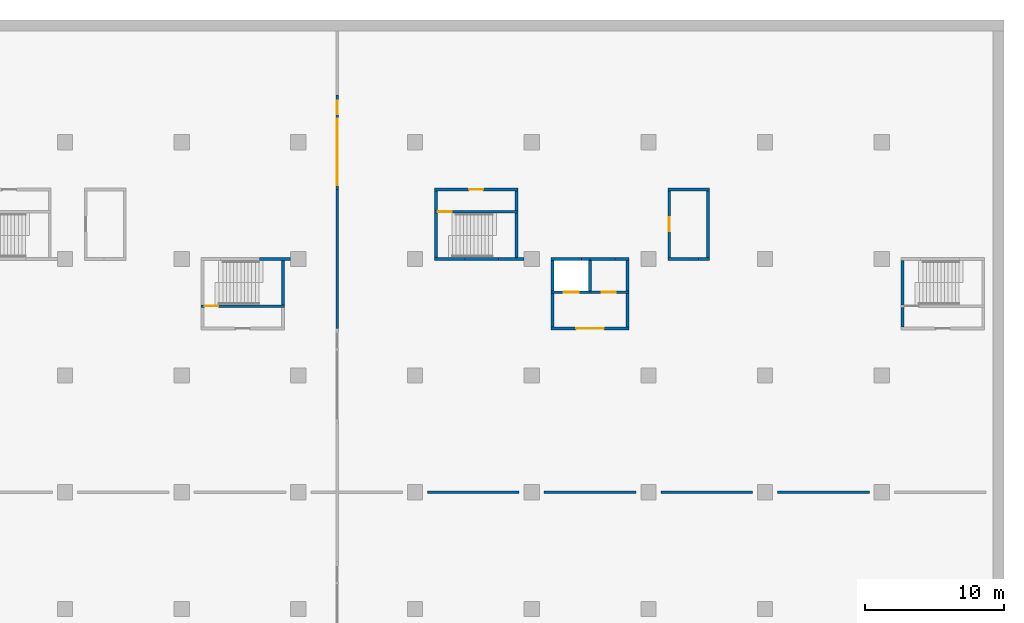
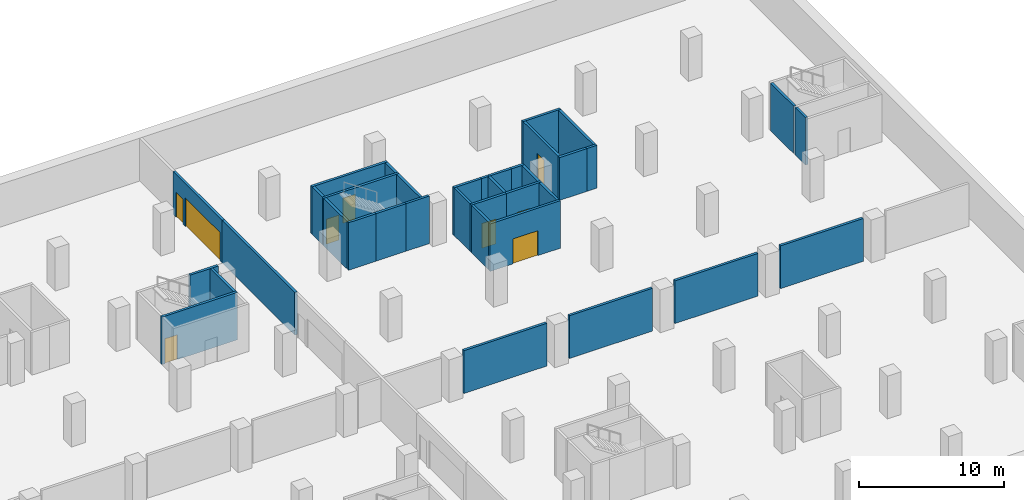
# One storey, part 11 of 18: 37 walls, 9 doors, 9 openings.
"""IFC4 building model written with IfcOpenShell, lengths in metres."""

from ifc_helpers import new_model, si_unit, direction, frame, frame_2d, origin, place, context, subcontext, project, spatial, rectangle, extrude, material, layer, layer_set, type_object, element, fill, save


model = new_model("IFC4")

# Units and contexts
model_context = context("Model", 3, precision=1e-05, world=origin(), true_north=direction((0.0, 1.0)))
body_context = subcontext(model_context, "Body", "Model", "MODEL_VIEW")
ifc_project = project(units=[si_unit("LENGTHUNIT", "METRE"), si_unit("AREAUNIT", "SQUARE_METRE"), si_unit("VOLUMEUNIT", "CUBIC_METRE"), si_unit("PLANEANGLEUNIT", "RADIAN"), si_unit("MASSUNIT", "GRAM", prefix="KILO")], contexts=[model_context])

# Site, building, storey
site_placement = place(None, origin())
site = spatial("IfcSite", under=ifc_project, at=site_placement, CompositionType="ELEMENT")
building_placement = place(site_placement, origin())
building = spatial("IfcBuilding", under=site, at=building_placement, Name="Vermilion Gate Residences", CompositionType="ELEMENT")
storey_placement = place(building_placement, frame((0.0, 0.0, -4.0)))
storey = spatial("IfcBuildingStorey", under=building, at=storey_placement, Name="B1", CompositionType="ELEMENT", Elevation=-4.0)

# Wall, opening, door
ifc_material_1 = material(Name="Concrete blockwork", Category="masonry")
ifc_layer_1 = layer(ifc_material_1, 0.199951171875)
ifc_layer_set_1 = layer_set([ifc_layer_1], Name="FIRE WALL 200 EI 120 (AMENITY)")
wall_type_1 = type_object("IfcWallType", Name="FIRE WALL 200 EI 120 (AMENITY)", PredefinedType="PARTITIONING", material=ifc_layer_set_1)
wall_1_placement = place(storey_placement, frame((102.300048828125, 84.10009765625, 0.0), z_axis=(0.0, 0.0, 1.0), x_axis=(0.0, 1.0, 0.0)))
wall_1 = element("IfcWall", 1, at=wall_1_placement, inside=storey, type_object=wall_type_1, Name="Fire-resisting wall 172", PredefinedType="PARTITIONING", context=body_context, shape_type="SweptSolid", body=[
    extrude(rectangle(XDim=4.7998046875, YDim=0.199951171875, at=frame_2d((2.39990234375, 0.0))), origin(), (0.0, 0.0, 1.0), 3.60009765625),
])
opening_1_placement = place(wall_1_placement, frame((1.89990234375, 0.0, 0.0)))
opening_1 = element("IfcOpeningElement", 2, at=opening_1_placement, cuts=wall_1, Name="Opening DMB1047", PredefinedType="OPENING", context=body_context, shape_type="SweptSolid", body=[
    extrude(rectangle(XDim=1.0, YDim=2.10009765625, at=frame_2d((0.5, 1.050048828125))), frame((0.0, 0.10986328125, 0.0), z_axis=(0.0, -1.0, 0.0), x_axis=(1.0, 0.0, 0.0)), (0.0, 0.0, 1.0), 0.219970703125),
])
ifc_material_2 = material(Name="Steel", Category="steel")
door_type_1 = type_object("IfcDoorType", Name="DOOR 1000 X 2100 FD60 (AMENITY)", OperationType="SINGLE_SWING_LEFT", PredefinedType="DOOR", material=ifc_material_2)
door_1_placement = place(opening_1_placement, origin())
door_1 = element("IfcDoor", 3, at=door_1_placement, inside=storey, type_object=door_type_1, Name="Door B1 47", OperationType="SINGLE_SWING_LEFT", OverallHeight=2.10009765625, OverallWidth=1.0, PredefinedType="DOOR", context=body_context, shape_type="SweptSolid", body=[
    extrude(rectangle(XDim=1.0, YDim=2.10009765625, at=frame_2d((0.5, 1.050048828125))), frame((0.0, 0.02490234375, 0.0), z_axis=(0.0, -1.0, 0.0), x_axis=(1.0, 0.0, 0.0)), (0.0, 0.0, 1.0), 0.050048828125),
])
fill(opening_1, door_1)

# Walls
wall_2_placement = place(storey_placement, frame((102.199951171875, 84.0, 0.0), z_axis=(0.0, 0.0, 1.0), x_axis=(1.0, 0.0, 0.0)))
element("IfcWall", 4, at=wall_2_placement, inside=storey, type_object=wall_type_1, Name="Fire-resisting wall 173", PredefinedType="PARTITIONING", context=body_context, shape_type="SweptSolid", body=[
    extrude(rectangle(XDim=2.199951171875, YDim=0.199951171875, at=frame_2d((1.10009765625, 0.0))), origin(), (0.0, 0.0, 1.0), 3.60009765625),
])
wall_3_placement = place(storey_placement, frame((102.199951171875, 89.0, 0.0), z_axis=(0.0, 0.0, 1.0), x_axis=(1.0, 0.0, 0.0)))
element("IfcWall", 5, at=wall_3_placement, inside=storey, type_object=wall_type_1, Name="Fire-resisting wall 174", PredefinedType="PARTITIONING", context=body_context, shape_type="SweptSolid", body=[
    extrude(rectangle(XDim=3.0, YDim=0.199951171875, at=frame_2d((1.5, 0.0))), origin(), (0.0, 0.0, 1.0), 3.60009765625),
])
wall_4_placement = place(storey_placement, frame((104.39990234375, 84.0, 0.0), z_axis=(0.0, 0.0, 1.0), x_axis=(1.0, 0.0, 0.0)))
element("IfcWall", 6, at=wall_4_placement, inside=storey, type_object=wall_type_1, Name="Fire-resisting wall 176", PredefinedType="PARTITIONING", context=body_context, shape_type="SweptSolid", body=[
    extrude(rectangle(XDim=0.800048828125, YDim=0.199951171875, at=frame_2d((0.39990234375, 0.0))), origin(), (0.0, 0.0, 1.0), 3.60009765625),
])
wall_5_placement = place(storey_placement, frame((105.10009765625, 84.10009765625, 0.0), z_axis=(0.0, 0.0, 1.0), x_axis=(0.0, 1.0, 0.0)))
element("IfcWall", 7, at=wall_5_placement, inside=storey, type_object=wall_type_1, Name="Fire-resisting wall 178", PredefinedType="PARTITIONING", context=body_context, shape_type="SweptSolid", body=[
    extrude(rectangle(XDim=4.7998046875, YDim=0.199951171875, at=frame_2d((2.39990234375, 0.0))), origin(), (0.0, 0.0, 1.0), 3.60009765625),
])
ifc_material_3 = material(Name="Concrete blockwork", Category="masonry")
ifc_layer_2 = layer(ifc_material_3, 0.199951171875)
ifc_layer_set_2 = layer_set([ifc_layer_2], Name="GARAGE FIRE WALL 200 EI 120 (AMENITY)")
wall_type_2 = type_object("IfcWallType", Name="GARAGE FIRE WALL 200 EI 120 (AMENITY)", PredefinedType="PARTITIONING", material=ifc_layer_set_2)
wall_6_placement = place(storey_placement, frame((78.39990234375, 79.0, 0.0), z_axis=(0.0, 0.0, 1.0), x_axis=(0.0, 1.0, 0.0)))
element("IfcWall", 8, at=wall_6_placement, inside=storey, type_object=wall_type_2, Name="Fire compartment wall", PredefinedType="PARTITIONING", context=body_context, shape_type="SweptSolid", body=[
    extrude(rectangle(XDim=10.0, YDim=0.199951171875, at=frame_2d((5.0, 0.0))), origin(), (0.0, 0.0, 1.0), 3.60009765625),
])

# Wall, openings, doors
wall_7_placement = place(storey_placement, frame((78.39990234375, 89.0, 0.0), z_axis=(0.0, 0.0, 1.0), x_axis=(0.0, 1.0, 0.0)))
wall_7 = element("IfcWall", 9, at=wall_7_placement, inside=storey, type_object=wall_type_2, Name="Fire compartment wall", PredefinedType="PARTITIONING", context=body_context, shape_type="SweptSolid", body=[
    extrude(rectangle(XDim=6.800048828125, YDim=0.199951171875, at=frame_2d((3.39990234375, 0.0))), origin(), (0.0, 0.0, 1.0), 3.60009765625),
])
opening_2_placement = place(wall_7_placement, frame((0.300048828125, 0.0, 0.0)))
opening_2 = element("IfcOpeningElement", 10, at=opening_2_placement, cuts=wall_7, Name="Opening DGB1023", PredefinedType="OPENING", context=body_context, shape_type="SweptSolid", body=[
    extrude(rectangle(XDim=4.800048828125, YDim=2.39990234375, at=frame_2d((2.39990234375, 1.199951171875))), frame((0.0, 0.10986328125, 0.0), z_axis=(0.0, -1.0, 0.0), x_axis=(1.0, 0.0, 0.0)), (0.0, 0.0, 1.0), 0.219970703125),
])
opening_3_placement = place(wall_7_placement, frame((5.39990234375, 0.0, 0.0)))
opening_3 = element("IfcOpeningElement", 11, at=opening_3_placement, cuts=wall_7, Name="Opening DGB1024", PredefinedType="OPENING", context=body_context, shape_type="SweptSolid", body=[
    extrude(rectangle(XDim=1.0, YDim=2.10009765625, at=frame_2d((0.5, 1.050048828125))), frame((0.0, 0.10986328125, 0.0), z_axis=(0.0, -1.0, 0.0), x_axis=(1.0, 0.0, 0.0)), (0.0, 0.0, 1.0), 0.219970703125),
])
ifc_material_4 = material(Name="Steel", Category="steel")
door_type_2 = type_object("IfcDoorType", Name="DOOR 1000 X 2100 FD120 (AMENITY)", OperationType="SINGLE_SWING_LEFT", PredefinedType="DOOR", material=ifc_material_4)
door_2_placement = place(opening_3_placement, frame((1.0, 0.0, 0.0), z_axis=(0.0, 0.0, 1.0), x_axis=(-1.0, 0.0, 0.0)))
door_2 = element("IfcDoor", 12, at=door_2_placement, inside=storey, type_object=door_type_2, Name="Fire door", OperationType="SINGLE_SWING_RIGHT", OverallHeight=2.10009765625, OverallWidth=1.0, PredefinedType="DOOR", context=body_context, shape_type="SweptSolid", body=[
    extrude(rectangle(XDim=1.0, YDim=2.10009765625, at=frame_2d((0.5, 1.050048828125))), frame((0.0, 0.02490234375, 0.0), z_axis=(0.0, -1.0, 0.0), x_axis=(1.0, 0.0, 0.0)), (0.0, 0.0, 1.0), 0.050048828125),
])
fill(opening_3, door_2)
ifc_material_5 = material(Name="Steel", Category="steel")
door_type_3 = type_object("IfcDoorType", Name="FIRE SHUTTER 4800 X 2400 (AMENITY)", OperationType="ROLLINGUP", PredefinedType="GATE", material=ifc_material_5)
door_3_placement = place(opening_2_placement, origin())
door_3 = element("IfcDoor", 13, at=door_3_placement, inside=storey, type_object=door_type_3, Name="Fire shutter", OperationType="ROLLINGUP", OverallHeight=2.39990234375, OverallWidth=4.800048828125, PredefinedType="GATE", context=body_context, shape_type="SweptSolid", body=[
    extrude(rectangle(XDim=4.800048828125, YDim=2.39990234375, at=frame_2d((2.39990234375, 1.199951171875))), frame((0.0, 0.02490234375, 0.0), z_axis=(0.0, -1.0, 0.0), x_axis=(1.0, 0.0, 0.0)), (0.0, 0.0, 1.0), 0.050048828125),
])
fill(opening_2, door_3)

# Walls
wall_8_placement = place(storey_placement, frame((84.89990234375, 67.199951171875, 0.0), z_axis=(0.0, 0.0, 1.0), x_axis=(1.0, 0.0, 0.0)))
element("IfcWall", 14, at=wall_8_placement, inside=storey, type_object=wall_type_2, Name="Fire compartment wall", PredefinedType="PARTITIONING", context=body_context, shape_type="SweptSolid", body=[
    extrude(rectangle(XDim=6.60009765625, YDim=0.199951171875, at=frame_2d((3.300048828125, 0.0))), origin(), (0.0, 0.0, 1.0), 3.60009765625),
])
wall_9_placement = place(storey_placement, frame((93.300048828125, 67.199951171875, 0.0), z_axis=(0.0, 0.0, 1.0), x_axis=(1.0, 0.0, 0.0)))
element("IfcWall", 15, at=wall_9_placement, inside=storey, type_object=wall_type_2, Name="Fire compartment wall", PredefinedType="PARTITIONING", context=body_context, shape_type="SweptSolid", body=[
    extrude(rectangle(XDim=6.599853515625, YDim=0.199951171875, at=frame_2d((3.2998046875, 0.0))), origin(), (0.0, 0.0, 1.0), 3.60009765625),
])
wall_10_placement = place(storey_placement, frame((101.699951171875, 67.199951171875, 0.0), z_axis=(0.0, 0.0, 1.0), x_axis=(1.0, 0.0, 0.0)))
element("IfcWall", 16, at=wall_10_placement, inside=storey, type_object=wall_type_2, Name="Fire compartment wall", PredefinedType="PARTITIONING", context=body_context, shape_type="SweptSolid", body=[
    extrude(rectangle(XDim=6.60009765625, YDim=0.199951171875, at=frame_2d((3.300048828125, 0.0))), origin(), (0.0, 0.0, 1.0), 3.60009765625),
])
wall_11_placement = place(storey_placement, frame((110.10009765625, 67.199951171875, 0.0), z_axis=(0.0, 0.0, 1.0), x_axis=(1.0, 0.0, 0.0)))
element("IfcWall", 17, at=wall_11_placement, inside=storey, type_object=wall_type_2, Name="Fire compartment wall", PredefinedType="PARTITIONING", context=body_context, shape_type="SweptSolid", body=[
    extrude(rectangle(XDim=6.599853515625, YDim=0.199951171875, at=frame_2d((3.2998046875, 0.0))), origin(), (0.0, 0.0, 1.0), 3.60009765625),
])

# Wall, opening, door
ifc_material_6 = material(Name="Concrete C40", Category="concrete")
ifc_layer_3 = layer(ifc_material_6, 0.199951171875)
ifc_layer_set_3 = layer_set([ifc_layer_3], Name="RC STAIR AND SHAFT WALL 200 EI 180 C40 (AMENITY)")
wall_type_3 = type_object("IfcWallType", Name="RC STAIR AND SHAFT WALL 200 EI 180 C40 (AMENITY)", PredefinedType="SOLIDWALL", material=ifc_layer_set_3)
wall_12_placement = place(storey_placement, frame((68.60009765625, 80.60009765625, 0.0), z_axis=(0.0, 0.0, 1.0), x_axis=(1.0, 0.0, 0.0)))
wall_12 = element("IfcWall", 18, at=wall_12_placement, inside=storey, type_object=wall_type_3, Name="Stair and shaft wall 129", PredefinedType="SOLIDWALL", context=body_context, shape_type="SweptSolid", body=[
    extrude(rectangle(XDim=6.0, YDim=0.199951171875, at=frame_2d((3.0, 0.0))), origin(), (0.0, 0.0, 1.0), 4.0),
])
opening_4_placement = place(wall_12_placement, frame((0.25, 0.0, 0.0)))
opening_4 = element("IfcOpeningElement", 19, at=opening_4_placement, cuts=wall_12, Name="Opening DMB1026", PredefinedType="OPENING", context=body_context, shape_type="SweptSolid", body=[
    extrude(rectangle(XDim=1.0, YDim=2.10009765625, at=frame_2d((0.5, 1.050048828125))), frame((0.0, 0.10986328125, 0.0), z_axis=(0.0, -1.0, 0.0), x_axis=(1.0, 0.0, 0.0)), (0.0, 0.0, 1.0), 0.219970703125),
])
door_4_placement = place(opening_4_placement, origin())
door_4 = element("IfcDoor", 20, at=door_4_placement, inside=storey, type_object=door_type_1, Name="Door B1 26", OperationType="SINGLE_SWING_RIGHT", OverallHeight=2.10009765625, OverallWidth=1.0, PredefinedType="DOOR", context=body_context, shape_type="SweptSolid", body=[
    extrude(rectangle(XDim=1.0, YDim=2.10009765625, at=frame_2d((0.5, 1.050048828125))), frame((0.0, 0.02490234375, 0.0), z_axis=(0.0, -1.0, 0.0), x_axis=(1.0, 0.0, 0.0)), (0.0, 0.0, 1.0), 0.050048828125),
])
fill(opening_4, door_4)

# Walls
wall_13_placement = place(storey_placement, frame((72.800048828125, 84.0, 0.0), z_axis=(0.0, 0.0, 1.0), x_axis=(1.0, 0.0, 0.0)))
element("IfcWall", 21, at=wall_13_placement, inside=storey, type_object=wall_type_3, Name="Stair and shaft wall 133", PredefinedType="SOLIDWALL", context=body_context, shape_type="SweptSolid", body=[
    extrude(rectangle(XDim=2.25, YDim=0.199951171875, at=frame_2d((1.125, 0.0))), origin(), (0.0, 0.0, 1.0), 4.0),
])
for number, where, z_axis, x_axis, name in (
    (22, (74.5, 80.699951171875, 0.0), (0.0, 0.0, 1.0), (0.0, 1.0, 0.0), "Stair and shaft wall 138"),
    (23, (85.5, 84.10009765625, 0.0), (0.0, 0.0, 1.0), (0.0, 1.0, 0.0), "Stair and shaft wall 144"),
):
    element("IfcWall", number, at=place(storey_placement, frame(where, z_axis=z_axis, x_axis=x_axis)), inside=storey, type_object=wall_type_3, Name=name, PredefinedType="SOLIDWALL", context=body_context, shape_type="SweptSolid", body=[
        extrude(rectangle(XDim=3.199951171875, YDim=0.199951171875, at=frame_2d((1.60009765625, 0.0))), origin(), (0.0, 0.0, 1.0), 4.0),
    ])
wall_14_placement = place(storey_placement, frame((85.39990234375, 84.0, 0.0), z_axis=(0.0, 0.0, 1.0), x_axis=(1.0, 0.0, 0.0)))
element("IfcWall", 24, at=wall_14_placement, inside=storey, type_object=wall_type_3, Name="Stair and shaft wall 145", PredefinedType="SOLIDWALL", context=body_context, shape_type="SweptSolid", body=[
    extrude(rectangle(XDim=2.2001953125, YDim=0.199951171875, at=frame_2d((1.10009765625, 0.0))), origin(), (0.0, 0.0, 1.0), 4.0),
])
wall_15_placement = place(storey_placement, frame((85.5, 87.5, 0.0), z_axis=(0.0, 0.0, 1.0), x_axis=(0.0, 1.0, 0.0)))
element("IfcWall", 25, at=wall_15_placement, inside=storey, type_object=wall_type_3, Name="Stair and shaft wall 146", PredefinedType="SOLIDWALL", context=body_context, shape_type="SweptSolid", body=[
    extrude(rectangle(XDim=1.39990234375, YDim=0.199951171875, at=frame_2d((0.699951171875, 0.0))), origin(), (0.0, 0.0, 1.0), 4.0),
])

# Wall, opening, door
wall_16_placement = place(storey_placement, frame((85.39990234375, 87.39990234375, 0.0), z_axis=(0.0, 0.0, 1.0), x_axis=(1.0, 0.0, 0.0)))
wall_16 = element("IfcWall", 26, at=wall_16_placement, inside=storey, type_object=wall_type_3, Name="Stair and shaft wall 147", PredefinedType="SOLIDWALL", context=body_context, shape_type="SweptSolid", body=[
    extrude(rectangle(XDim=6.0, YDim=0.199951171875, at=frame_2d((3.0, 0.0))), origin(), (0.0, 0.0, 1.0), 4.0),
])
opening_5_placement = place(wall_16_placement, frame((0.25, 0.0, 0.0)))
opening_5 = element("IfcOpeningElement", 27, at=opening_5_placement, cuts=wall_16, Name="Opening DMB1032", PredefinedType="OPENING", context=body_context, shape_type="SweptSolid", body=[
    extrude(rectangle(XDim=1.0, YDim=2.10009765625, at=frame_2d((0.5, 1.050048828125))), frame((0.0, 0.10986328125, 0.0), z_axis=(0.0, -1.0, 0.0), x_axis=(1.0, 0.0, 0.0)), (0.0, 0.0, 1.0), 0.219970703125),
])
door_5_placement = place(opening_5_placement, frame((1.0, 0.0, 0.0), z_axis=(0.0, 0.0, 1.0), x_axis=(-1.0, 0.0, 0.0)))
door_5 = element("IfcDoor", 28, at=door_5_placement, inside=storey, type_object=door_type_1, Name="Door B1 32", OperationType="SINGLE_SWING_LEFT", OverallHeight=2.10009765625, OverallWidth=1.0, PredefinedType="DOOR", context=body_context, shape_type="SweptSolid", body=[
    extrude(rectangle(XDim=1.0, YDim=2.10009765625, at=frame_2d((0.5, 1.050048828125))), frame((0.0, 0.02490234375, 0.0), z_axis=(0.0, -1.0, 0.0), x_axis=(1.0, 0.0, 0.0)), (0.0, 0.0, 1.0), 0.050048828125),
])
fill(opening_5, door_5)

wall_17_placement = place(storey_placement, frame((85.39990234375, 89.0, 0.0), z_axis=(0.0, 0.0, 1.0), x_axis=(1.0, 0.0, 0.0)))
wall_17 = element("IfcWall", 29, at=wall_17_placement, inside=storey, type_object=wall_type_3, Name="Stair and shaft wall 148", PredefinedType="SOLIDWALL", context=body_context, shape_type="SweptSolid", body=[
    extrude(rectangle(XDim=6.0, YDim=0.199951171875, at=frame_2d((3.0, 0.0))), origin(), (0.0, 0.0, 1.0), 4.0),
])
opening_6_placement = place(wall_17_placement, frame((2.5, 0.0, 0.0)))
opening_6 = element("IfcOpeningElement", 30, at=opening_6_placement, cuts=wall_17, Name="Opening DMB1031", PredefinedType="OPENING", context=body_context, shape_type="SweptSolid", body=[
    extrude(rectangle(XDim=1.0, YDim=2.10009765625, at=frame_2d((0.5, 1.050048828125))), frame((0.0, 0.10986328125, 0.0), z_axis=(0.0, -1.0, 0.0), x_axis=(1.0, 0.0, 0.0)), (0.0, 0.0, 1.0), 0.219970703125),
])
door_6_placement = place(opening_6_placement, origin())
door_6 = element("IfcDoor", 31, at=door_6_placement, inside=storey, type_object=door_type_1, Name="Door B1 31", OperationType="SINGLE_SWING_LEFT", OverallHeight=2.10009765625, OverallWidth=1.0, PredefinedType="DOOR", context=body_context, shape_type="SweptSolid", body=[
    extrude(rectangle(XDim=1.0, YDim=2.10009765625, at=frame_2d((0.5, 1.050048828125))), frame((0.0, 0.02490234375, 0.0), z_axis=(0.0, -1.0, 0.0), x_axis=(1.0, 0.0, 0.0)), (0.0, 0.0, 1.0), 0.050048828125),
])
fill(opening_6, door_6)

# Walls
wall_18_placement = place(storey_placement, frame((87.60009765625, 84.0, 0.0), z_axis=(0.0, 0.0, 1.0), x_axis=(1.0, 0.0, 0.0)))
element("IfcWall", 32, at=wall_18_placement, inside=storey, type_object=wall_type_3, Name="Stair and shaft wall 150", PredefinedType="SOLIDWALL", context=body_context, shape_type="SweptSolid", body=[
    extrude(rectangle(XDim=2.39990234375, YDim=0.199951171875, at=frame_2d((1.199951171875, 0.0))), origin(), (0.0, 0.0, 1.0), 4.0),
])
wall_19_placement = place(storey_placement, frame((90.0, 84.0, 0.0), z_axis=(0.0, 0.0, 1.0), x_axis=(1.0, 0.0, 0.0)))
element("IfcWall", 33, at=wall_19_placement, inside=storey, type_object=wall_type_3, Name="Stair and shaft wall 152", PredefinedType="SOLIDWALL", context=body_context, shape_type="SweptSolid", body=[
    extrude(rectangle(XDim=1.85009765625, YDim=0.199951171875, at=frame_2d((0.925048828125, 0.0))), origin(), (0.0, 0.0, 1.0), 4.0),
])
wall_20_placement = place(storey_placement, frame((91.300048828125, 84.10009765625, 0.0), z_axis=(0.0, 0.0, 1.0), x_axis=(0.0, 1.0, 0.0)))
element("IfcWall", 34, at=wall_20_placement, inside=storey, type_object=wall_type_3, Name="Stair and shaft wall 155", PredefinedType="SOLIDWALL", context=body_context, shape_type="SweptSolid", body=[
    extrude(rectangle(XDim=3.199951171875, YDim=0.199951171875, at=frame_2d((1.60009765625, 0.0))), origin(), (0.0, 0.0, 1.0), 4.0),
])
wall_21_placement = place(storey_placement, frame((91.300048828125, 87.5, 0.0), z_axis=(0.0, 0.0, 1.0), x_axis=(0.0, 1.0, 0.0)))
element("IfcWall", 35, at=wall_21_placement, inside=storey, type_object=wall_type_3, Name="Stair and shaft wall 156", PredefinedType="SOLIDWALL", context=body_context, shape_type="SweptSolid", body=[
    extrude(rectangle(XDim=1.39990234375, YDim=0.199951171875, at=frame_2d((0.699951171875, 0.0))), origin(), (0.0, 0.0, 1.0), 4.0),
])
wall_22_placement = place(storey_placement, frame((93.89990234375, 79.10009765625, 0.0), z_axis=(0.0, 0.0, 1.0), x_axis=(0.0, 1.0, 0.0)))
element("IfcWall", 36, at=wall_22_placement, inside=storey, type_object=wall_type_3, Name="Stair and shaft wall 157", PredefinedType="SOLIDWALL", context=body_context, shape_type="SweptSolid", body=[
    extrude(rectangle(XDim=2.39990234375, YDim=0.199951171875, at=frame_2d((1.199951171875, 0.0))), origin(), (0.0, 0.0, 1.0), 4.0),
])

# Wall, opening, door
wall_23_placement = place(storey_placement, frame((93.800048828125, 79.0, 0.0), z_axis=(0.0, 0.0, 1.0), x_axis=(1.0, 0.0, 0.0)))
wall_23 = element("IfcWall", 37, at=wall_23_placement, inside=storey, type_object=wall_type_3, Name="Stair and shaft wall 158", PredefinedType="SOLIDWALL", context=body_context, shape_type="SweptSolid", body=[
    extrude(rectangle(XDim=5.599853515625, YDim=0.199951171875, at=frame_2d((2.7998046875, 0.0))), origin(), (0.0, 0.0, 1.0), 4.0),
])
opening_7_placement = place(wall_23_placement, frame((1.800048828125, 0.0, 0.0)))
opening_7 = element("IfcOpeningElement", 38, at=opening_7_placement, cuts=wall_23, Name="Opening DMB1040", PredefinedType="OPENING", context=body_context, shape_type="SweptSolid", body=[
    extrude(rectangle(XDim=2.0, YDim=2.10009765625, at=frame_2d((1.0, 1.050048828125))), frame((0.0, 0.10986328125, 0.0), z_axis=(0.0, -1.0, 0.0), x_axis=(1.0, 0.0, 0.0)), (0.0, 0.0, 1.0), 0.219970703125),
])
ifc_material_7 = material(Name="Steel", Category="steel")
door_type_4 = type_object("IfcDoorType", Name="DOUBLE DOOR 2000 X 2100 FD60 (AMENITY)", OperationType="DOUBLE_DOOR_SINGLE_SWING", PredefinedType="DOOR", material=ifc_material_7)
door_7_placement = place(opening_7_placement, frame((2.0, 0.0, 0.0), z_axis=(0.0, 0.0, 1.0), x_axis=(-1.0, 0.0, 0.0)))
door_7 = element("IfcDoor", 39, at=door_7_placement, inside=storey, type_object=door_type_4, Name="Door B1 40", OperationType="DOUBLE_DOOR_SINGLE_SWING", OverallHeight=2.10009765625, OverallWidth=2.0, PredefinedType="DOOR", context=body_context, shape_type="SweptSolid", body=[
    extrude(rectangle(XDim=2.0, YDim=2.10009765625, at=frame_2d((1.0, 1.050048828125))), frame((0.0, 0.02490234375, 0.0), z_axis=(0.0, -1.0, 0.0), x_axis=(1.0, 0.0, 0.0)), (0.0, 0.0, 1.0), 0.050048828125),
])
fill(opening_7, door_7)

# Wall
wall_24_placement = place(storey_placement, frame((93.89990234375, 81.699951171875, 0.0), z_axis=(0.0, 0.0, 1.0), x_axis=(0.0, 1.0, 0.0)))
element("IfcWall", 40, at=wall_24_placement, inside=storey, type_object=wall_type_3, Name="Stair and shaft wall 159", PredefinedType="SOLIDWALL", context=body_context, shape_type="SweptSolid", body=[
    extrude(rectangle(XDim=2.199951171875, YDim=0.199951171875, at=frame_2d((1.10009765625, 0.0))), origin(), (0.0, 0.0, 1.0), 4.0),
])

# Wall, opening, door
wall_25_placement = place(storey_placement, frame((93.800048828125, 81.60009765625, 0.0), z_axis=(0.0, 0.0, 1.0), x_axis=(1.0, 0.0, 0.0)))
wall_25 = element("IfcWall", 41, at=wall_25_placement, inside=storey, type_object=wall_type_3, Name="Stair and shaft wall 160", PredefinedType="SOLIDWALL", context=body_context, shape_type="SweptSolid", body=[
    extrude(rectangle(XDim=2.800048828125, YDim=0.199951171875, at=frame_2d((1.39990234375, 0.0))), origin(), (0.0, 0.0, 1.0), 4.0),
])
opening_8_placement = place(wall_25_placement, frame((0.89990234375, 0.0, 0.0)))
opening_8 = element("IfcOpeningElement", 42, at=opening_8_placement, cuts=wall_25, Name="Opening LD", PredefinedType="OPENING", context=body_context, shape_type="SweptSolid", body=[
    extrude(rectangle(XDim=1.10009765625, YDim=2.10009765625, at=frame_2d((0.550048828125, 1.050048828125))), frame((0.0, 0.10986328125, 0.0), z_axis=(0.0, -1.0, 0.0), x_axis=(1.0, 0.0, 0.0)), (0.0, 0.0, 1.0), 0.219970703125),
])
ifc_material_8 = material(Name="Stainless steel", Category="steel")
door_type_5 = type_object("IfcDoorType", Name="LIFT LANDING DOOR 1100 X 2100 (AMENITY)", OperationType="SLIDING_TO_LEFT", PredefinedType="DOOR", material=ifc_material_8)
door_8_placement = place(opening_8_placement, origin())
door_8 = element("IfcDoor", 43, at=door_8_placement, inside=storey, type_object=door_type_5, Name="Lift landing door", OperationType="SLIDING_TO_LEFT", OverallHeight=2.10009765625, OverallWidth=1.10009765625, PredefinedType="DOOR", context=body_context, shape_type="SweptSolid", body=[
    extrude(rectangle(XDim=1.10009765625, YDim=2.10009765625, at=frame_2d((0.550048828125, 1.050048828125))), frame((0.0, 0.02490234375, 0.0), z_axis=(0.0, -1.0, 0.0), x_axis=(1.0, 0.0, 0.0)), (0.0, 0.0, 1.0), 0.050048828125),
])
fill(opening_8, door_8)

# Walls
wall_26_placement = place(storey_placement, frame((93.800048828125, 84.0, 0.0), z_axis=(0.0, 0.0, 1.0), x_axis=(1.0, 0.0, 0.0)))
element("IfcWall", 44, at=wall_26_placement, inside=storey, type_object=wall_type_3, Name="Stair and shaft wall 161", PredefinedType="SOLIDWALL", context=body_context, shape_type="SweptSolid", body=[
    extrude(rectangle(XDim=2.199951171875, YDim=0.199951171875, at=frame_2d((1.10009765625, 0.0))), origin(), (0.0, 0.0, 1.0), 4.0),
])
wall_27_placement = place(storey_placement, frame((96.0, 84.0, 0.0), z_axis=(0.0, 0.0, 1.0), x_axis=(1.0, 0.0, 0.0)))
element("IfcWall", 45, at=wall_27_placement, inside=storey, type_object=wall_type_3, Name="Stair and shaft wall 162", PredefinedType="SOLIDWALL", context=body_context, shape_type="SweptSolid", body=[
    extrude(rectangle(XDim=0.60009765625, YDim=0.199951171875, at=frame_2d((0.300048828125, 0.0))), origin(), (0.0, 0.0, 1.0), 4.0),
])
wall_28_placement = place(storey_placement, frame((96.60009765625, 81.699951171875, 0.0), z_axis=(0.0, 0.0, 1.0), x_axis=(0.0, 1.0, 0.0)))
element("IfcWall", 46, at=wall_28_placement, inside=storey, type_object=wall_type_3, Name="Stair and shaft wall 163", PredefinedType="SOLIDWALL", context=body_context, shape_type="SweptSolid", body=[
    extrude(rectangle(XDim=2.199951171875, YDim=0.199951171875, at=frame_2d((1.10009765625, 0.0))), origin(), (0.0, 0.0, 1.0), 4.0),
])

# Wall, opening, door
wall_29_placement = place(storey_placement, frame((96.60009765625, 81.60009765625, 0.0), z_axis=(0.0, 0.0, 1.0), x_axis=(1.0, 0.0, 0.0)))
wall_29 = element("IfcWall", 47, at=wall_29_placement, inside=storey, type_object=wall_type_3, Name="Stair and shaft wall 164", PredefinedType="SOLIDWALL", context=body_context, shape_type="SweptSolid", body=[
    extrude(rectangle(XDim=2.7998046875, YDim=0.199951171875, at=frame_2d((1.39990234375, 0.0))), origin(), (0.0, 0.0, 1.0), 4.0),
])
opening_9_placement = place(wall_29_placement, frame((0.85009765625, 0.0, 0.0)))
opening_9 = element("IfcOpeningElement", 48, at=opening_9_placement, cuts=wall_29, Name="Opening DMB1042", PredefinedType="OPENING", context=body_context, shape_type="SweptSolid", body=[
    extrude(rectangle(XDim=1.0, YDim=2.10009765625, at=frame_2d((0.5, 1.050048828125))), frame((0.0, 0.10986328125, 0.0), z_axis=(0.0, -1.0, 0.0), x_axis=(1.0, 0.0, 0.0)), (0.0, 0.0, 1.0), 0.219970703125),
])
door_9_placement = place(opening_9_placement, origin())
door_9 = element("IfcDoor", 49, at=door_9_placement, inside=storey, type_object=door_type_1, Name="Door B1 42", OperationType="SINGLE_SWING_LEFT", OverallHeight=2.10009765625, OverallWidth=1.0, PredefinedType="DOOR", context=body_context, shape_type="SweptSolid", body=[
    extrude(rectangle(XDim=1.0, YDim=2.10009765625, at=frame_2d((0.5, 1.050048828125))), frame((0.0, 0.02490234375, 0.0), z_axis=(0.0, -1.0, 0.0), x_axis=(1.0, 0.0, 0.0)), (0.0, 0.0, 1.0), 0.050048828125),
])
fill(opening_9, door_9)

# Walls
wall_30_placement = place(storey_placement, frame((96.60009765625, 84.0, 0.0), z_axis=(0.0, 0.0, 1.0), x_axis=(1.0, 0.0, 0.0)))
element("IfcWall", 50, at=wall_30_placement, inside=storey, type_object=wall_type_3, Name="Stair and shaft wall 165", PredefinedType="SOLIDWALL", context=body_context, shape_type="SweptSolid", body=[
    extrude(rectangle(XDim=1.7998046875, YDim=0.199951171875, at=frame_2d((0.89990234375, 0.0))), origin(), (0.0, 0.0, 1.0), 4.0),
])
wall_31_placement = place(storey_placement, frame((98.39990234375, 84.0, 0.0), z_axis=(0.0, 0.0, 1.0), x_axis=(1.0, 0.0, 0.0)))
element("IfcWall", 51, at=wall_31_placement, inside=storey, type_object=wall_type_3, Name="Stair and shaft wall 166", PredefinedType="SOLIDWALL", context=body_context, shape_type="SweptSolid", body=[
    extrude(rectangle(XDim=1.0, YDim=0.199951171875, at=frame_2d((0.5, 0.0))), origin(), (0.0, 0.0, 1.0), 4.0),
])
wall_32_placement = place(storey_placement, frame((99.300048828125, 79.10009765625, 0.0), z_axis=(0.0, 0.0, 1.0), x_axis=(0.0, 1.0, 0.0)))
element("IfcWall", 52, at=wall_32_placement, inside=storey, type_object=wall_type_3, Name="Stair and shaft wall 167", PredefinedType="SOLIDWALL", context=body_context, shape_type="SweptSolid", body=[
    extrude(rectangle(XDim=2.39990234375, YDim=0.199951171875, at=frame_2d((1.199951171875, 0.0))), origin(), (0.0, 0.0, 1.0), 4.0),
])
wall_33_placement = place(storey_placement, frame((99.300048828125, 81.699951171875, 0.0), z_axis=(0.0, 0.0, 1.0), x_axis=(0.0, 1.0, 0.0)))
element("IfcWall", 53, at=wall_33_placement, inside=storey, type_object=wall_type_3, Name="Stair and shaft wall 168", PredefinedType="SOLIDWALL", context=body_context, shape_type="SweptSolid", body=[
    extrude(rectangle(XDim=2.199951171875, YDim=0.199951171875, at=frame_2d((1.10009765625, 0.0))), origin(), (0.0, 0.0, 1.0), 4.0),
])
wall_34_placement = place(storey_placement, frame((119.10009765625, 79.10009765625, 0.0), z_axis=(0.0, 0.0, 1.0), x_axis=(0.0, 1.0, 0.0)))
element("IfcWall", 54, at=wall_34_placement, inside=storey, type_object=wall_type_3, Name="Stair and shaft wall 184", PredefinedType="SOLIDWALL", context=body_context, shape_type="SweptSolid", body=[
    extrude(rectangle(XDim=1.39990234375, YDim=0.199951171875, at=frame_2d((0.699951171875, 0.0))), origin(), (0.0, 0.0, 1.0), 4.0),
])
wall_35_placement = place(storey_placement, frame((119.10009765625, 80.699951171875, 0.0), z_axis=(0.0, 0.0, 1.0), x_axis=(0.0, 1.0, 0.0)))
element("IfcWall", 55, at=wall_35_placement, inside=storey, type_object=wall_type_3, Name="Stair and shaft wall 186", PredefinedType="SOLIDWALL", context=body_context, shape_type="SweptSolid", body=[
    extrude(rectangle(XDim=3.199951171875, YDim=0.199951171875, at=frame_2d((1.60009765625, 0.0))), origin(), (0.0, 0.0, 1.0), 4.0),
])

save(model, "model.ifc")
